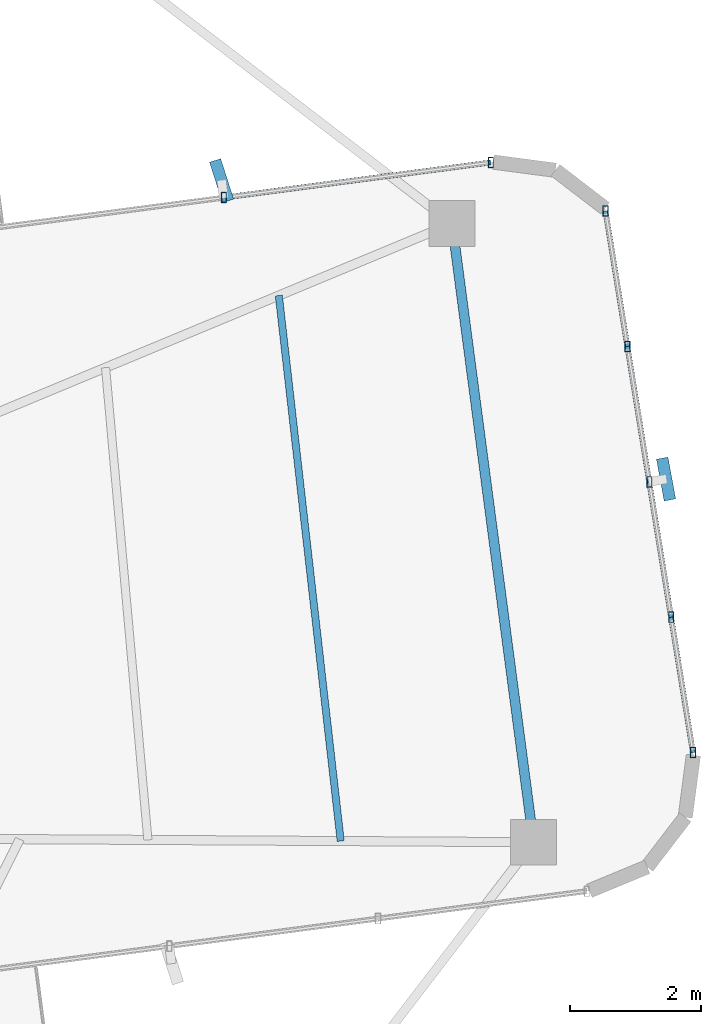
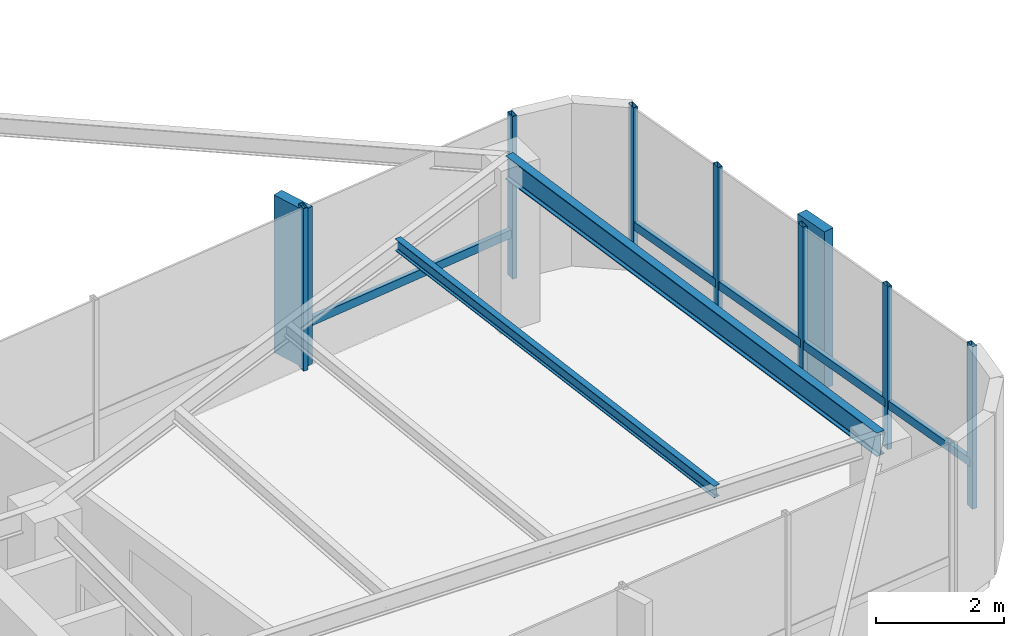
# One storey, part 13 of 22: 14 members, 2 beams, 2 elements without a shape of their own.
"""IFC4 building model written with IfcOpenShell, lengths in metres."""

from ifc_helpers import new_model, si_unit, direction, frame, origin, origin_2d, place, context, subcontext, project, spatial, rectangle, hollow_rectangle, i_section, extrude, source, transform, mapped, material, material_profile, profile_set, type_object, element, aggregate, save


model = new_model("IFC4")

# Units and contexts
model_context = context("Model", 3, precision=1e-05, world=origin(), true_north=direction((0.0, 1.0)))
body_context = subcontext(model_context, "Body", "Model", "MODEL_VIEW")
ifc_project = project(units=[si_unit("LENGTHUNIT", "METRE"), si_unit("AREAUNIT", "SQUARE_METRE"), si_unit("VOLUMEUNIT", "CUBIC_METRE"), si_unit("PLANEANGLEUNIT", "RADIAN"), si_unit("MASSUNIT", "GRAM", prefix="KILO")], contexts=[model_context])

# Site, building, storey
site_placement = place(None, origin())
site = spatial("IfcSite", under=ifc_project, at=site_placement, CompositionType="ELEMENT")
building_placement = place(site_placement, origin())
building = spatial("IfcBuilding", under=site, at=building_placement, Name="Sahyath Konkavel Grand Hotel", CompositionType="ELEMENT")
storey_placement = place(building_placement, frame((0.0, 0.0, 237.800048828125)))
storey = spatial("IfcBuildingStorey", under=building, at=storey_placement, Name="L66", CompositionType="ELEMENT", Elevation=237.800048828125)

# Beams
ifc_material_1 = material(Name="Steel E350", Category="steel")
ifc_material_profile_1 = material_profile(ifc_material_1, i_section(OverallWidth=0.14990234375, OverallDepth=0.449951171875, WebThickness=0.009521484375, FlangeThickness=0.017333984375, FilletRadius=0.014892578125, at=origin_2d()), Name="ISMB 450")
ifc_profile_set_1 = profile_set([ifc_material_profile_1], Name="Steel E350")
beam_type_1 = type_object("IfcBeamType", Name="BM-ISMB450", PredefinedType="BEAM", material=ifc_profile_set_1)
shared_shape_1 = source(origin(), body_context, "Body", "SweptSolid", [
    extrude(i_section(OverallWidth=0.14990234375, OverallDepth=0.449951171875, WebThickness=0.009521484375, FlangeThickness=0.017333984375, FilletRadius=0.014892578125, at=origin_2d()), origin(), (0.0, 0.0, 1.0), 9.550048828125),
])
beam_1_placement = place(storey_placement, frame((17.795166015625, -2.473388671875, 2.885009765625), z_axis=(-0.130532545797, 0.991444024889, 0.0), x_axis=(-0.991444024889, -0.130532545797, 0.0)))
element("IfcBeam", 1, at=beam_1_placement, inside=storey, type_object=beam_type_1, Name="L66 Wing Tip Edge Beam E", PredefinedType="BEAM", context=body_context, shape_type="MappedRepresentation", body=[
    mapped(shared_shape_1, transform((0.0, 0.0, 0.0), scale=1.0)),
])
ifc_material_profile_2 = material_profile(ifc_material_1, i_section(OverallWidth=0.110107421875, OverallDepth=0.22509765625, WebThickness=0.006591796875, FlangeThickness=0.01171875, FilletRadius=0.011962890625, at=origin_2d()), Name="ISMB 225")
ifc_profile_set_2 = profile_set([ifc_material_profile_2], Name="Steel E350")
beam_type_2 = type_object("IfcBeamType", Name="BM-ISMB225", PredefinedType="BEAM", material=ifc_profile_set_2)
shared_shape_2 = source(origin(), body_context, "Body", "SweptSolid", [
    extrude(i_section(OverallWidth=0.110107421875, OverallDepth=0.22509765625, WebThickness=0.006591796875, FlangeThickness=0.01171875, FilletRadius=0.011962890625, at=origin_2d()), origin(), (0.0, 0.0, 1.0), 8.4013671875),
])
beam_2_placement = place(storey_placement, frame((14.84423828125, -2.455810546875, 2.99755859375), z_axis=(-0.112749942138, 0.993623394726, 0.0), x_axis=(-0.993623394726, -0.112749942138, 0.0)))
element("IfcBeam", 2, at=beam_2_placement, inside=storey, type_object=beam_type_2, Name="L66 Secondary Floor Beam E-3", PredefinedType="BEAM", context=body_context, shape_type="MappedRepresentation", body=[
    mapped(shared_shape_2, transform((0.0, 0.0, 0.0), scale=1.0)),
])

# Curtain wall, members
ifc_material_2 = material(Name="Anodised Bronze Aluminium & Low-E Glazing", Category="aluminium")
curtain_wall_type = type_object("IfcCurtainWallType", Name="CW-ZONE4", PredefinedType="NOTDEFINED", material=ifc_material_2)
curtain_wall_1_placement = place(storey_placement, origin())
curtain_wall_1 = element("IfcCurtainWall", 3, at=curtain_wall_1_placement, inside=storey, type_object=curtain_wall_type, Name="L66 Unitised Curtain Wall F4", PredefinedType="NOTDEFINED")
ifc_material_3 = material(Name="Anodised Bronze Aluminium", Category="aluminium")
ifc_material_profile_3 = material_profile(ifc_material_3, hollow_rectangle(XDim=0.080078125, YDim=0.159912109375, WallThickness=0.006103515625, at=origin_2d()), Name="RHS 160x80x6")
ifc_profile_set_3 = profile_set([ifc_material_profile_3], Name="Anodised Bronze Aluminium")
member_type_1 = type_object("IfcMemberType", Name="CW-MUL-160", PredefinedType="MULLION", material=ifc_profile_set_3)
shared_shape_3 = source(origin(), body_context, "Body", "SweptSolid", [
    extrude(hollow_rectangle(XDim=0.080078125, YDim=0.159912109375, WallThickness=0.006103515625, at=origin_2d()), origin(), (0.0, 0.0, 1.0), 3.10986328125),
])
member_1_placement = place(storey_placement, frame((20.23583984375, -1.10302734375, 0.0), z_axis=(0.0, 0.0, 1.0), x_axis=(1.0, 0.0, 0.0)))
member_1 = element("IfcMember", 4, at=member_1_placement, type_object=member_type_1, Name="L66 Curtain Wall Mullion F4-0", PredefinedType="MULLION", context=body_context, shape_type="MappedRepresentation", body=[
    mapped(shared_shape_3, transform((0.0, 0.0, 0.0), scale=1.0)),
])
member_2_placement = place(storey_placement, frame((19.901123046875, 0.9697265625, 0.0), z_axis=(0.0, 0.0, 1.0), x_axis=(1.0, 0.0, 0.0)))
member_2 = element("IfcMember", 5, at=member_2_placement, type_object=member_type_1, Name="L66 Curtain Wall Mullion F4-1", PredefinedType="MULLION", context=body_context, shape_type="MappedRepresentation", body=[
    mapped(shared_shape_3, transform((0.0, 0.0, 0.0), scale=1.0)),
])
member_3_placement = place(storey_placement, frame((19.56640625, 3.04248046875, 0.0), z_axis=(0.0, 0.0, 1.0), x_axis=(1.0, 0.0, 0.0)))
member_3 = element("IfcMember", 6, at=member_3_placement, type_object=member_type_1, Name="L66 Curtain Wall Mullion F4-2", PredefinedType="MULLION", context=body_context, shape_type="MappedRepresentation", body=[
    mapped(shared_shape_3, transform((0.0, 0.0, 0.0), scale=1.0)),
])
member_4_placement = place(storey_placement, frame((19.231689453125, 5.115234375, 0.0), z_axis=(0.0, 0.0, 1.0), x_axis=(1.0, 0.0, 0.0)))
member_4 = element("IfcMember", 7, at=member_4_placement, type_object=member_type_1, Name="L66 Curtain Wall Mullion F4-3", PredefinedType="MULLION", context=body_context, shape_type="MappedRepresentation", body=[
    mapped(shared_shape_3, transform((0.0, 0.0, 0.0), scale=1.0)),
])
member_5_placement = place(storey_placement, frame((18.896728515625, 7.18798828125, 0.0), z_axis=(0.0, 0.0, 1.0), x_axis=(1.0, 0.0, 0.0)))
member_5 = element("IfcMember", 8, at=member_5_placement, type_object=member_type_1, Name="L66 Curtain Wall Mullion F4-4", PredefinedType="MULLION", context=body_context, shape_type="MappedRepresentation", body=[
    mapped(shared_shape_3, transform((0.0, 0.0, 0.0), scale=1.0)),
])

curtain_wall_2_placement = place(storey_placement, origin())
curtain_wall_2 = element("IfcCurtainWall", 9, at=curtain_wall_2_placement, inside=storey, type_object=curtain_wall_type, Name="L66 Unitised Curtain Wall F7", PredefinedType="NOTDEFINED")
member_6_placement = place(storey_placement, frame((17.1416015625, 7.930419921875, 0.0), z_axis=(0.0, 0.0, 1.0), x_axis=(1.0, 0.0, 0.0)))
member_6 = element("IfcMember", 10, at=member_6_placement, type_object=member_type_1, Name="L66 Curtain Wall Mullion F7-0", PredefinedType="MULLION", context=body_context, shape_type="MappedRepresentation", body=[
    mapped(shared_shape_3, transform((0.0, 0.0, 0.0), scale=1.0)),
])
member_7_placement = place(storey_placement, frame((13.05517578125, 7.392333984375, 0.0), z_axis=(0.0, 0.0, 1.0), x_axis=(1.0, 0.0, 0.0)))
member_7 = element("IfcMember", 11, at=member_7_placement, type_object=member_type_1, Name="L66 Curtain Wall Mullion F7-1", PredefinedType="MULLION", context=body_context, shape_type="MappedRepresentation", body=[
    mapped(shared_shape_3, transform((0.0, 0.0, 0.0), scale=1.0)),
])

# Member
ifc_material_4 = material(Name="Warm Buff Sandstone Cladding on Concrete C50/60", Category="masonry")
ifc_material_profile_4 = material_profile(ifc_material_4, rectangle(XDim=0.179931640625, YDim=0.64990234375, at=origin_2d()), Name="FIN 180x650")
ifc_profile_set_4 = profile_set([ifc_material_profile_4], Name="Warm Buff Sandstone Cladding on Concrete C50/60")
member_type_2 = type_object("IfcMemberType", Name="FIN-SANDSTONE-650", PredefinedType="MULLION", material=ifc_profile_set_4)
shared_shape_4 = source(origin(), body_context, "Body", "SweptSolid", [
    extrude(rectangle(XDim=0.179931640625, YDim=0.64990234375, at=origin_2d()), origin(), (0.0, 0.0, 1.0), 3.010009765625),
])
member_8_placement = place(storey_placement, frame((19.822998046875, 3.083984375, 0.050048828125), z_axis=(0.0, 0.0, 1.0), x_axis=(0.98372862895, 0.179660748593, 0.0)))
member_8 = element("IfcMember", 12, at=member_8_placement, type_object=member_type_2, Name="L66 Sandstone Vertical Solar Fin FIN F4-2", PredefinedType="MULLION", context=body_context, shape_type="MappedRepresentation", body=[
    mapped(shared_shape_4, transform((0.0, 0.0, 0.0), scale=1.0)),
])

member_9_placement = place(storey_placement, frame((13.021240234375, 7.650146484375, 0.050048828125), z_axis=(0.0, 0.0, 1.0), x_axis=(0.952502159334, 0.304531831612, 0.0)))
member_9 = element("IfcMember", 13, at=member_9_placement, type_object=member_type_2, Name="L66 Sandstone Vertical Solar Fin FIN F7-1", PredefinedType="MULLION", context=body_context, shape_type="MappedRepresentation", body=[
    mapped(shared_shape_4, transform((0.0, 0.0, 0.0), scale=1.0)),
])

ifc_material_profile_5 = material_profile(ifc_material_3, hollow_rectangle(XDim=0.080078125, YDim=0.159912109375, WallThickness=0.006103515625, at=origin_2d()), Name="RHS 160x80x6")
ifc_profile_set_5 = profile_set([ifc_material_profile_5], Name="Anodised Bronze Aluminium")
member_type_3 = type_object("IfcMemberType", Name="CW-TRN-160", PredefinedType="USERDEFINED", material=ifc_profile_set_5)
shared_shape_5 = source(origin(), body_context, "Body", "SweptSolid", [
    extrude(hollow_rectangle(XDim=0.080078125, YDim=0.159912109375, WallThickness=0.006103515625, at=origin_2d()), origin(), (0.0, 0.0, 1.0), 2.099609375),
])
member_10_placement = place(storey_placement, frame((20.23583984375, -1.10302734375, 0.849853515625), z_axis=(-0.159418883785, 0.987211030881, 0.0), x_axis=(-0.987211030881, -0.159418883785, 0.0)))
member_10 = element("IfcMember", 14, at=member_10_placement, type_object=member_type_3, Name="L66 Curtain Wall Transom F4-0-spandrel", ObjectType="TRANSOM", PredefinedType="USERDEFINED", context=body_context, shape_type="MappedRepresentation", body=[
    mapped(shared_shape_5, transform((0.0, 0.0, 0.0), scale=1.0)),
])

member_11_placement = place(storey_placement, frame((19.901123046875, 0.9697265625, 0.849853515625), z_axis=(-0.159418883785, 0.987211030881, 0.0), x_axis=(-0.987211030881, -0.159418883785, 0.0)))
member_11 = element("IfcMember", 15, at=member_11_placement, type_object=member_type_3, Name="L66 Curtain Wall Transom F4-1-spandrel", ObjectType="TRANSOM", PredefinedType="USERDEFINED", context=body_context, shape_type="MappedRepresentation", body=[
    mapped(shared_shape_5, transform((0.0, 0.0, 0.0), scale=1.0)),
])

member_12_placement = place(storey_placement, frame((19.56640625, 3.04248046875, 0.849853515625), z_axis=(-0.159418883785, 0.987211030881, 0.0), x_axis=(-0.987211030881, -0.159418883785, 0.0)))
member_12 = element("IfcMember", 16, at=member_12_placement, type_object=member_type_3, Name="L66 Curtain Wall Transom F4-2-spandrel", ObjectType="TRANSOM", PredefinedType="USERDEFINED", context=body_context, shape_type="MappedRepresentation", body=[
    mapped(shared_shape_5, transform((0.0, 0.0, 0.0), scale=1.0)),
])

member_13_placement = place(storey_placement, frame((19.231689453125, 5.115234375, 0.849853515625), z_axis=(-0.159532204741, 0.987192724675, 0.0), x_axis=(-0.987192724675, -0.159532204741, 0.0)))
member_13 = element("IfcMember", 17, at=member_13_placement, type_object=member_type_3, Name="L66 Curtain Wall Transom F4-3-spandrel", ObjectType="TRANSOM", PredefinedType="USERDEFINED", context=body_context, shape_type="MappedRepresentation", body=[
    mapped(shared_shape_5, transform((0.0, 0.0, 0.0), scale=1.0)),
])

aggregate(curtain_wall_1, [member_1, member_2, member_3, member_8, member_4, member_5, member_10, member_11, member_12, member_13])

shared_shape_6 = source(origin(), body_context, "Body", "SweptSolid", [
    extrude(hollow_rectangle(XDim=0.080078125, YDim=0.159912109375, WallThickness=0.006103515625, at=origin_2d()), origin(), (0.0, 0.0, 1.0), 4.12158203125),
])
member_14_placement = place(storey_placement, frame((17.1416015625, 7.930419921875, 0.849853515625), z_axis=(-0.991441791177, -0.13054951056, 0.0), x_axis=(0.13054951056, -0.991441791177, 0.0)))
member_14 = element("IfcMember", 18, at=member_14_placement, type_object=member_type_3, Name="L66 Curtain Wall Transom F7-0-spandrel", ObjectType="TRANSOM", PredefinedType="USERDEFINED", context=body_context, shape_type="MappedRepresentation", body=[
    mapped(shared_shape_6, transform((0.0, 0.0, 0.0), scale=1.0)),
])

aggregate(curtain_wall_2, [member_6, member_7, member_9, member_14])

save(model, "model.ifc")
